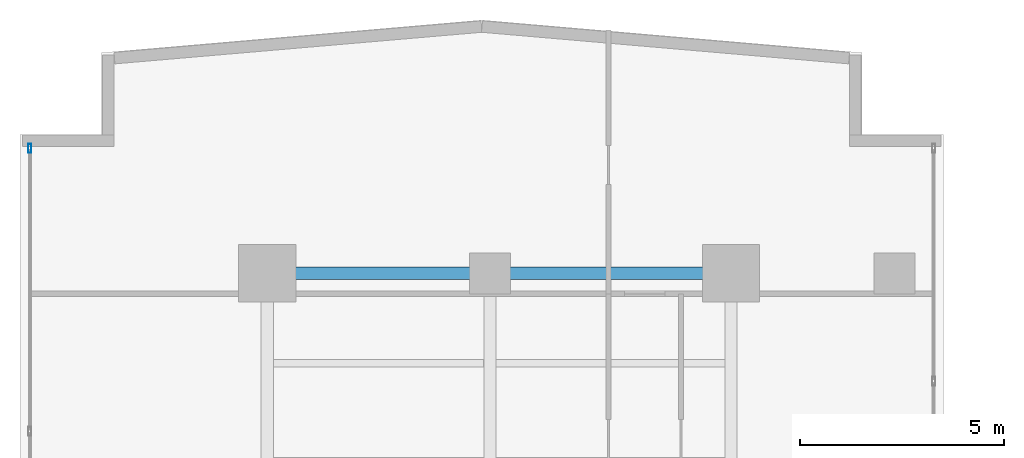
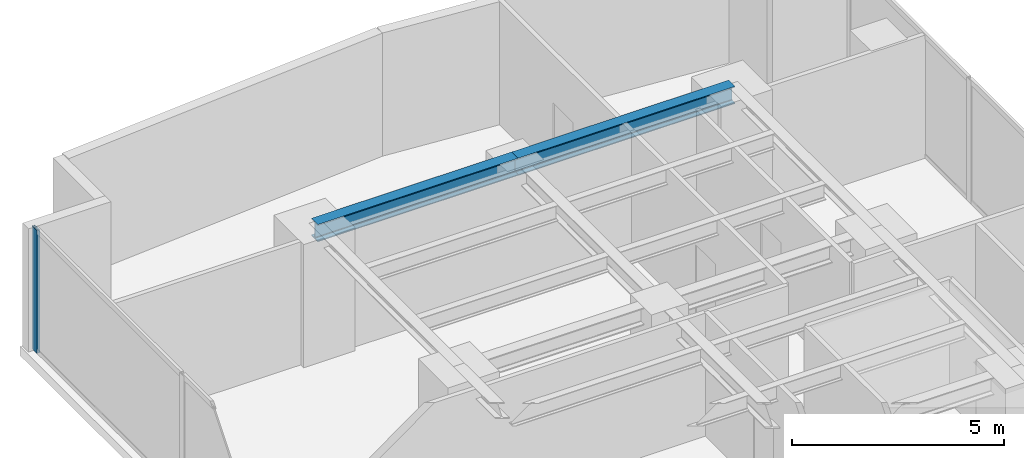
# One storey, part 16 of 26: 2 beams, 1 member, 1 element without a shape of its own.
"""IFC4 building model written with IfcOpenShell, lengths in metres."""

from ifc_helpers import new_model, si_unit, direction, frame, origin, origin_with_axes, origin_2d, place, context, subcontext, project, spatial, hollow_rectangle, i_section, extrude, source, transform, mapped, material, layer, layer_set, material_profile, profile_set, type_object, element, aggregate, save


model = new_model("IFC4")

# Units and contexts
model_context = context("Model", 3, precision=1e-05, world=origin(), true_north=direction((0.0, 1.0)))
body_context = subcontext(model_context, "Body", "Model", "MODEL_VIEW")
ifc_project = project(units=[si_unit("LENGTHUNIT", "METRE"), si_unit("AREAUNIT", "SQUARE_METRE"), si_unit("VOLUMEUNIT", "CUBIC_METRE"), si_unit("PLANEANGLEUNIT", "RADIAN"), si_unit("MASSUNIT", "GRAM", prefix="KILO")], contexts=[model_context])

# Site, building, storey
site_placement = place(None, origin())
site = spatial("IfcSite", under=ifc_project, at=site_placement, CompositionType="ELEMENT")
building_placement = place(site_placement, origin())
building = spatial("IfcBuilding", under=site, at=building_placement, Name="Kolvaren Waterfront Exchange", CompositionType="ELEMENT")
storey_placement = place(building_placement, frame((0.0, 0.0, 125.89990234375)))
storey = spatial("IfcBuildingStorey", under=building, at=storey_placement, Name="L32", CompositionType="ELEMENT", Elevation=125.89990234375)

# Beams
ifc_material_1 = material(Name="Steel S355", Category="steel")
ifc_material_profile_1 = material_profile(ifc_material_1, i_section(OverallWidth=0.300048828125, OverallDepth=0.5, WebThickness=0.014404296875, FlangeThickness=0.028076171875, FilletRadius=0.027099609375, at=origin_2d()), Name="HEB500")
ifc_profile_set_1 = profile_set([ifc_material_profile_1], Name="Steel S355")
beam_type = type_object("IfcBeamType", Name="STR-BM-HEB500", PredefinedType="BEAM", material=ifc_profile_set_1)
beam_1_placement = place(storey_placement, frame((7.449951171875, 44.60009765625, 3.2900390625), z_axis=(1.0, 0.0, 0.0), x_axis=(0.0, 1.0, 0.0)))
element("IfcBeam", 1, at=beam_1_placement, inside=storey, type_object=beam_type, Name="L32 north-arm girder 4A", PredefinedType="BEAM", context=body_context, shape_type="SweptSolid", body=[
    extrude(i_section(OverallWidth=0.300048828125, OverallDepth=0.5, WebThickness=0.014404296875, FlangeThickness=0.028076171875, FilletRadius=0.027099609375, at=origin_2d()), origin(), (0.0, 0.0, 1.0), 5.449951171875),
])
beam_2_placement = place(storey_placement, frame((12.89990234375, 44.60009765625, 3.2900390625), z_axis=(1.0, 0.0, 0.0), x_axis=(0.0, 1.0, 0.0)))
element("IfcBeam", 2, at=beam_2_placement, inside=storey, type_object=beam_type, Name="L32 north-arm girder 4B", PredefinedType="BEAM", context=body_context, shape_type="SweptSolid", body=[
    extrude(i_section(OverallWidth=0.300048828125, OverallDepth=0.5, WebThickness=0.014404296875, FlangeThickness=0.028076171875, FilletRadius=0.027099609375, at=origin_2d()), origin(), (0.0, 0.0, 1.0), 5.900146484375),
])

# Curtain wall, member
ifc_material_2 = material(Name="Anodised aluminium 6063-T6", Category="aluminium")
ifc_layer = layer(ifc_material_2, 0.219970703125, Name="Anodised aluminium 6063-T6")
ifc_layer_set = layer_set([ifc_layer], Name="Anodised aluminium 6063-T6")
curtain_wall_type = type_object("IfcCurtainWallType", Name="ARC-CW-SYS2", PredefinedType="USERDEFINED", material=ifc_layer_set)
curtain_wall_placement = place(storey_placement, origin())
curtain_wall = element("IfcCurtainWall", 3, at=curtain_wall_placement, inside=storey, type_object=curtain_wall_type, Name="L32 stick curtain wall CW2 (CW-L32-W)", ObjectType="STICK CURTAIN WALL", PredefinedType="USERDEFINED")
ifc_material_profile_2 = material_profile(ifc_material_2, hollow_rectangle(XDim=0.080078125, YDim=0.219970703125, WallThickness=0.0048828125, at=origin_2d()), Name="ALU-MUL-220x80x5")
ifc_profile_set_2 = profile_set([ifc_material_profile_2], Name="Anodised aluminium 6063-T6")
member_type = type_object("IfcMemberType", Name="ARC-CWM-220", PredefinedType="MULLION", material=ifc_profile_set_2)
shared_shape = source(origin_with_axes(), body_context, "Body", "SweptSolid", [
    extrude(hollow_rectangle(XDim=0.080078125, YDim=0.219970703125, WallThickness=0.0048828125, at=origin_2d()), origin(), (0.0, 0.0, 1.0), 3.5400390625),
])
member_placement = place(storey_placement, frame((1.639892578125, 47.659912109375, 0.0), z_axis=(0.0, 0.0, 1.0), x_axis=(-1.0, 0.0, 0.0)))
member = element("IfcMember", 4, at=member_placement, type_object=member_type, Name="CW2 mullion 7", PredefinedType="MULLION", context=body_context, shape_type="MappedRepresentation", body=[
    mapped(shared_shape, transform((0.0, 0.0, 0.0), x_axis=(1.0, 0.0, 0.0), y_axis=(0.0, 1.0, 0.0), z_axis=(0.0, 0.0, 1.0), scale=1.0)),
])
aggregate(curtain_wall, [member])

save(model, "model.ifc")
